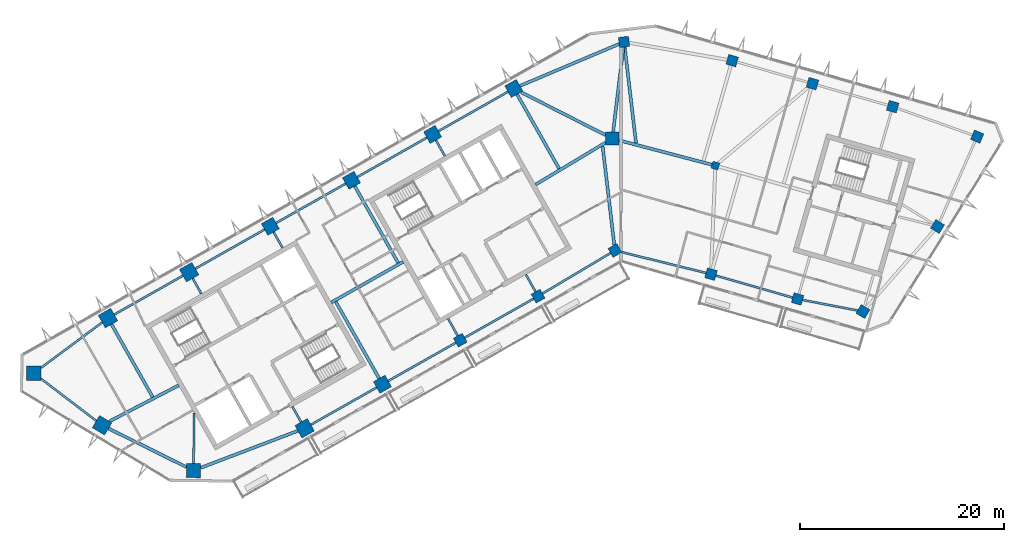
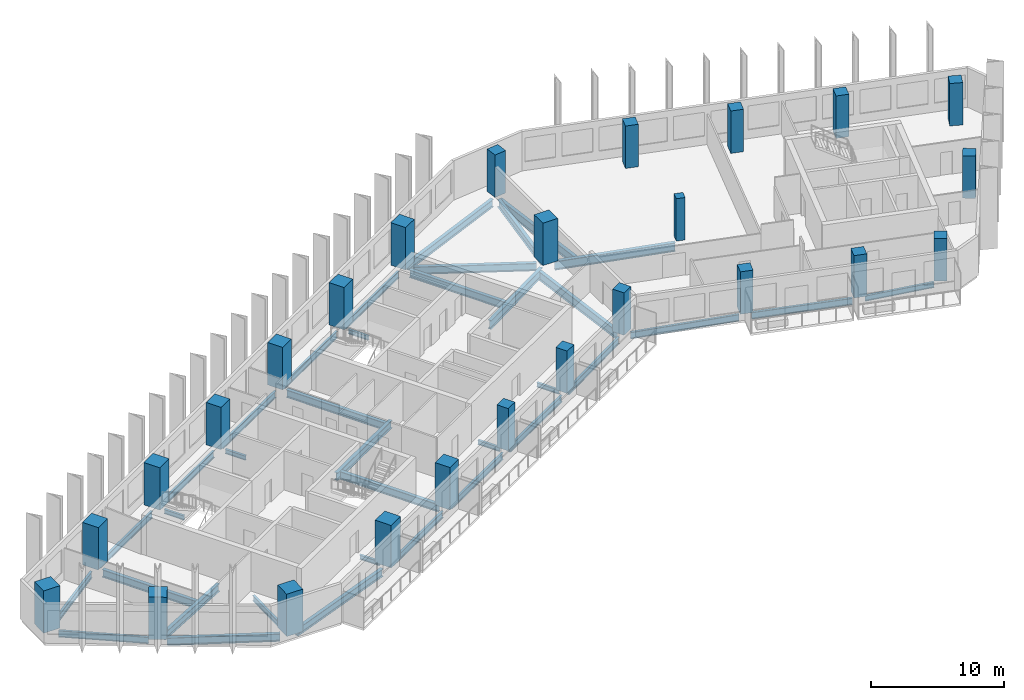
# One storey, part 1 of 11: 36 beams, 25 columns.
"""IFC4 building model written with IfcOpenShell, lengths in metres."""

from ifc_helpers import new_model, si_unit, direction, frame, origin, origin_2d, place, context, subcontext, project, spatial, rectangle, i_section, extrude, material, material_profile, profile_set, type_object, element, save


model = new_model("IFC4")

# Units and contexts
model_context = context("Model", 3, precision=1e-05, world=origin(), true_north=direction((0.0, 1.0)))
body_context = subcontext(model_context, "Body", "Model", "MODEL_VIEW")
ifc_project = project(units=[si_unit("LENGTHUNIT", "METRE"), si_unit("AREAUNIT", "SQUARE_METRE"), si_unit("VOLUMEUNIT", "CUBIC_METRE"), si_unit("PLANEANGLEUNIT", "RADIAN"), si_unit("MASSUNIT", "GRAM", prefix="KILO")], contexts=[model_context])

# Site, building, storey
site_placement = place(None, origin())
site = spatial("IfcSite", under=ifc_project, at=site_placement, CompositionType="ELEMENT")
building_placement = place(site_placement, origin())
building = spatial("IfcBuilding", under=site, at=building_placement, Name="Binnacle Exchange Tower", CompositionType="ELEMENT")
storey_placement = place(building_placement, frame((0.0, 0.0, 223.10009765625)))
storey = spatial("IfcBuildingStorey", under=building, at=storey_placement, Name="L49", CompositionType="ELEMENT", Elevation=223.10009765625)

# Columns
ifc_material_1 = material(Name="Concrete C60/75", Category="concrete")
ifc_material_profile_1 = material_profile(ifc_material_1, rectangle(XDim=0.699951171875, YDim=0.699951171875, at=origin_2d()), Name="Column 700x700 C60/75")
ifc_profile_set_1 = profile_set([ifc_material_profile_1], Name="Concrete C60/75")
column_type_1 = type_object("IfcColumnType", Name="Column 700x700 C60/75", PredefinedType="COLUMN", material=ifc_profile_set_1)
column_placement = place(storey_placement, frame((9.240966796875, 57.35009765625, 0.0), z_axis=(0.0, 0.0, 1.0), x_axis=(0.961261695938, -0.275637355817, 0.0)))
element("IfcColumn", 1, at=column_placement, inside=storey, type_object=column_type_1, Name="S:COL:C19:L49", PredefinedType="COLUMN", context=body_context, shape_type="SweptSolid", body=[
    extrude(rectangle(XDim=0.699951171875, YDim=0.699951171875, at=origin_2d()), origin(), (0.0, 0.0, 1.0), 3.89990234375),
])
ifc_material_profile_2 = material_profile(ifc_material_1, rectangle(XDim=1.0, YDim=1.0, at=origin_2d()), Name="Mega column 1000x1000 C60/75")
ifc_profile_set_2 = profile_set([ifc_material_profile_2], Name="Concrete C60/75")
column_type_2 = type_object("IfcColumnType", Name="Mega column 1000x1000 C60/75", PredefinedType="COLUMN", material=ifc_profile_set_2)
for number, where, z_axis, x_axis, name in (
    (2, (26.602783203125, 63.12353515625, 0.0), (0.0, 0.0, 1.0), (-0.961261695938, 0.275637355817, 0.0), "S:COL:MC52:L49"),
    (3, (18.746337890625, 65.376220703125, 0.0), (0.0, 0.0, 1.0), (-0.961261695938, 0.275637355817, 0.0), "S:COL:MC50:L49"),
    (4, (10.889892578125, 67.62890625, 0.0), (0.0, 0.0, 1.0), (-0.961261695938, 0.275637355817, 0.0), "S:COL:MC48:L49"),
    (5, (0.300048828125, 69.464111328125, 0.0), (0.0, 0.0, 1.0), (-0.993068456955, -0.117537397458, 0.0), "S:COL:MC47:L49"),
    (6, (-15.736328125, 40.257080078125, 0.0), (0.0, 0.0, 1.0), (0.87035569594, 0.492423560103, 0.0), "S:COL:MC24:L49"),
    (7, (-8.116943359375, 44.568115234375, 0.0), (0.0, 0.0, 1.0), (0.87035569594, 0.492423560103, 0.0), "S:COL:MC35:L49"),
    (8, (-0.5908203125, 49.04443359375, 0.0), (0.0, 0.0, 1.0), (0.87035569594, 0.492423560103, 0.0), "S:COL:MC46:L49"),
    (9, (8.8095703125, 46.722412109375, 0.0), (0.0, 0.0, 1.0), (0.961261695938, -0.275637355817, 0.0), "S:COL:MC49:L49"),
    (10, (17.2880859375, 44.291015625, 0.0), (0.0, 0.0, 1.0), (0.961261695938, -0.275637355817, 0.0), "S:COL:MC51:L49"),
    (11, (23.690185546875, 43.062744140625, 0.0), (0.0, 0.0, 1.0), (-0.86532642813, 0.501208711795, 0.0), "S:COL:MC53:L49"),
    (12, (30.989501953125, 51.38623046875, 0.0), (0.0, 0.0, 1.0), (0.529919264233, 0.848048096156, 0.0), "S:COL:MC55:L49"),
    (13, (34.870361328125, 60.18701171875, 0.0), (0.0, 0.0, 1.0), (-0.922814001807, 0.385245789164, 0.0), "S:COL:MC54:L49"),
):
    element("IfcColumn", number, at=place(storey_placement, frame(where, z_axis=z_axis, x_axis=x_axis)), inside=storey, type_object=column_type_2, Name=name, PredefinedType="COLUMN", context=body_context, shape_type="SweptSolid", body=[
        extrude(rectangle(XDim=1.0, YDim=1.0, at=origin_2d()), origin(), (0.0, 0.0, 1.0), 3.89990234375),
    ])
ifc_material_profile_3 = material_profile(ifc_material_1, rectangle(XDim=1.300048828125, YDim=1.300048828125, at=origin_2d()), Name="Mega column 1300x1300 C60/75")
ifc_profile_set_3 = profile_set([ifc_material_profile_3], Name="Concrete C60/75")
column_type_3 = type_object("IfcColumnType", Name="Mega column 1300x1300 C60/75", PredefinedType="COLUMN", material=ifc_profile_set_3)
for number, where, z_axis, x_axis, name in (
    (14, (-10.4951171875, 64.901611328125, 0.0), (0.0, 0.0, 1.0), (-0.87035569594, -0.492423560103, 0.0), "S:COL:MC38:L49"),
    (15, (-18.44140625, 60.406005859375, 0.0), (0.0, 0.0, 1.0), (-0.87035569594, -0.492423560103, 0.0), "S:COL:MC29:L49"),
    (16, (-26.3876953125, 55.91015625, 0.0), (0.0, 0.0, 1.0), (-0.87035569594, -0.492423560103, 0.0), "S:COL:MC21:L49"),
    (17, (-34.333740234375, 51.414306640625, 0.0), (0.0, 0.0, 1.0), (-0.87035569594, -0.492423560103, 0.0), "S:COL:MC13:L49"),
    (18, (-23.35595703125, 35.9462890625, 0.0), (0.0, 0.0, 1.0), (0.87035569594, 0.492423560103, 0.0), "S:COL:MC16:L49"),
    (19, (-0.85009765625, 60.0, 0.0), (0.0, 0.0, 1.0), (0.0, 1.0, 0.0), "S:COL:MC45:L49"),
):
    element("IfcColumn", number, at=place(storey_placement, frame(where, z_axis=z_axis, x_axis=x_axis)), inside=storey, type_object=column_type_3, Name=name, PredefinedType="COLUMN", context=body_context, shape_type="SweptSolid", body=[
        extrude(rectangle(XDim=1.300048828125, YDim=1.300048828125, at=origin_2d()), origin(), (0.0, 0.0, 1.0), 3.89990234375),
    ])
ifc_material_profile_4 = material_profile(ifc_material_1, rectangle(XDim=1.39990234375, YDim=1.39990234375, at=origin_2d()), Name="Mega column 1400x1400 C60/75")
ifc_profile_set_4 = profile_set([ifc_material_profile_4], Name="Concrete C60/75")
column_type_4 = type_object("IfcColumnType", Name="Mega column 1400x1400 C60/75", PredefinedType="COLUMN", material=ifc_profile_set_4)
for number, where, z_axis, x_axis, name in (
    (20, (-42.280029296875, 46.918701171875, 0.0), (0.0, 0.0, 1.0), (-0.87035569594, -0.492423560103, 0.0), "S:COL:MC08:L49"),
    (21, (-50.226318359375, 42.4228515625, 0.0), (0.0, 0.0, 1.0), (-0.87035569594, -0.492423560103, 0.0), "S:COL:MC04:L49"),
    (22, (-57.492919921875, 37.02734375, 0.0), (0.0, 0.0, 1.0), (-0.013089595571, -0.999914327574, 0.0), "S:COL:MC02:L49"),
    (23, (-50.81201171875, 31.930908203125, 0.0), (0.0, 0.0, 1.0), (0.857167300702, -0.51503807491, 0.0), "S:COL:MC01:L49"),
    (24, (-41.857666015625, 27.494873046875, 0.0), (0.0, 0.0, 1.0), (0.999914327574, -0.013089595571, 0.0), "S:COL:MC03:L49"),
    (25, (-30.9755859375, 31.63525390625, 0.0), (0.0, 0.0, 1.0), (0.87035569594, 0.492423560103, 0.0), "S:COL:MC07:L49"),
):
    element("IfcColumn", number, at=place(storey_placement, frame(where, z_axis=z_axis, x_axis=x_axis)), inside=storey, type_object=column_type_4, Name=name, PredefinedType="COLUMN", context=body_context, shape_type="SweptSolid", body=[
        extrude(rectangle(XDim=1.39990234375, YDim=1.39990234375, at=origin_2d()), origin(), (0.0, 0.0, 1.0), 3.89990234375),
    ])

# Beams
ifc_material_2 = material(Name="Steel S355 (SHN355)", Category="steel")
ifc_material_profile_5 = material_profile(ifc_material_2, i_section(OverallWidth=0.199951171875, OverallDepth=0.5, WebThickness=0.010009765625, FlangeThickness=0.01611328125, FilletRadius=0.02001953125, at=origin_2d()), Name="H 500x200x10x16")
ifc_profile_set_5 = profile_set([ifc_material_profile_5], Name="Steel S355 (SHN355)")
beam_type_1 = type_object("IfcBeamType", Name="Edge girder H 500x200x10x16 Steel S355 (SHN355)", PredefinedType="SPANDREL", material=ifc_profile_set_5)
beam_1_placement = place(storey_placement, frame((17.78125, 44.196533203125, -0.530029296875), z_axis=(0.98208728148, -0.188426568073, 0.0), x_axis=(0.188426568073, 0.98208728148, 0.0)))
element("IfcBeam", 26, at=beam_1_placement, inside=storey, type_object=beam_type_1, Name="S:BM:edge:L49:028", PredefinedType="SPANDREL", context=body_context, shape_type="SweptSolid", body=[
    extrude(i_section(OverallWidth=0.199951171875, OverallDepth=0.5, WebThickness=0.010009765625, FlangeThickness=0.01611328125, FilletRadius=0.02001953125, at=origin_2d()), origin(), (0.0, 0.0, 1.0), 5.4873046875),
])
ifc_material_profile_6 = material_profile(ifc_material_2, i_section(OverallWidth=0.199951171875, OverallDepth=0.60009765625, WebThickness=0.010986328125, FlangeThickness=0.01708984375, FilletRadius=0.02197265625, at=origin_2d()), Name="H 600x200x11x17")
ifc_profile_set_6 = profile_set([ifc_material_profile_6], Name="Steel S355 (SHN355)")
beam_type_2 = type_object("IfcBeamType", Name="Edge girder H 600x200x11x17 Steel S355 (SHN355)", PredefinedType="SPANDREL", material=ifc_profile_set_6)
beam_2_placement = place(storey_placement, frame((-56.7998046875, 36.49853515625, -0.580078125), z_axis=(0.795081038606, -0.606503208606, 0.0), x_axis=(0.606503208606, 0.795081038606, 0.0)))
element("IfcBeam", 27, at=beam_2_placement, inside=storey, type_object=beam_type_2, Name="S:BM:edge:L49:011", PredefinedType="SPANDREL", context=body_context, shape_type="SweptSolid", body=[
    extrude(i_section(OverallWidth=0.199951171875, OverallDepth=0.60009765625, WebThickness=0.010986328125, FlangeThickness=0.01708984375, FilletRadius=0.02197265625, at=origin_2d()), origin(), (0.0, 0.0, 1.0), 6.82666015625),
])
ifc_material_profile_7 = material_profile(ifc_material_2, i_section(OverallWidth=0.200927734375, OverallDepth=0.60595703125, WebThickness=0.011962890625, FlangeThickness=0.02001953125, FilletRadius=0.02197265625, at=origin_2d()), Name="H 606x201x12x20")
ifc_profile_set_7 = profile_set([ifc_material_profile_7], Name="Steel S355 (SHN355)")
beam_type_3 = type_object("IfcBeamType", Name="Edge girder H 606x201x12x20 Steel S355 (SHN355)", PredefinedType="SPANDREL", material=ifc_profile_set_7)
beam_3_placement = place(storey_placement, frame((-50.79248046875, 42.00244140625, -0.5830078125), z_axis=(-0.802886959261, -0.596131303194, 0.0), x_axis=(0.596131303194, -0.802886959261, 0.0)))
element("IfcBeam", 28, at=beam_3_placement, inside=storey, type_object=beam_type_3, Name="S:BM:edge:L49:012", PredefinedType="SPANDREL", context=body_context, shape_type="SweptSolid", body=[
    extrude(i_section(OverallWidth=0.200927734375, OverallDepth=0.60595703125, WebThickness=0.011962890625, FlangeThickness=0.02001953125, FilletRadius=0.02197265625, at=origin_2d()), origin(), (0.0, 0.0, 1.0), 7.465087890625),
])
beam_4_placement = place(storey_placement, frame((-30.3662109375, 31.97998046875, -0.5830078125), z_axis=(0.87035151347, 0.49243095252, 0.0), x_axis=(-0.49243095252, 0.87035151347, 0.0)))
element("IfcBeam", 29, at=beam_4_placement, inside=storey, type_object=beam_type_3, Name="S:BM:edge:L49:017", PredefinedType="SPANDREL", context=body_context, shape_type="SweptSolid", body=[
    extrude(i_section(OverallWidth=0.200927734375, OverallDepth=0.60595703125, WebThickness=0.011962890625, FlangeThickness=0.02001953125, FilletRadius=0.02197265625, at=origin_2d()), origin(), (0.0, 0.0, 1.0), 7.404541015625),
])
beam_5_placement = place(storey_placement, frame((-22.790283203125, 36.266357421875, -0.5830078125), z_axis=(0.870357072119, 0.492421127708, 0.0), x_axis=(-0.492421127708, 0.870357072119, 0.0)))
element("IfcBeam", 30, at=beam_5_placement, inside=storey, type_object=beam_type_3, Name="S:BM:edge:L49:019", PredefinedType="SPANDREL", context=body_context, shape_type="SweptSolid", body=[
    extrude(i_section(OverallWidth=0.200927734375, OverallDepth=0.60595703125, WebThickness=0.011962890625, FlangeThickness=0.02001953125, FilletRadius=0.02197265625, at=origin_2d()), origin(), (0.0, 0.0, 1.0), 7.6044921875),
])
beam_6_placement = place(storey_placement, frame((-15.30126953125, 40.50341796875, -0.5830078125), z_axis=(0.870352841483, 0.492428605304, 0.0), x_axis=(-0.492428605304, 0.870352841483, 0.0)))
element("IfcBeam", 31, at=beam_6_placement, inside=storey, type_object=beam_type_3, Name="S:BM:edge:L49:021", PredefinedType="SPANDREL", context=body_context, shape_type="SweptSolid", body=[
    extrude(i_section(OverallWidth=0.200927734375, OverallDepth=0.60595703125, WebThickness=0.011962890625, FlangeThickness=0.02001953125, FilletRadius=0.02197265625, at=origin_2d()), origin(), (0.0, 0.0, 1.0), 7.754638671875),
])
beam_7_placement = place(storey_placement, frame((-7.68701171875, 44.82373046875, -0.5830078125), z_axis=(0.859458521045, 0.51120548765, 0.0), x_axis=(-0.51120548765, 0.859458521045, 0.0)))
element("IfcBeam", 32, at=beam_7_placement, inside=storey, type_object=beam_type_3, Name="S:BM:edge:L49:023", PredefinedType="SPANDREL", context=body_context, shape_type="SweptSolid", body=[
    extrude(i_section(OverallWidth=0.200927734375, OverallDepth=0.60595703125, WebThickness=0.011962890625, FlangeThickness=0.02001953125, FilletRadius=0.02197265625, at=origin_2d()), origin(), (0.0, 0.0, 1.0), 7.75634765625),
])
beam_8_placement = place(storey_placement, frame((9.2900390625, 46.58447265625, -0.5830078125), z_axis=(0.961265533153, -0.275623973506, 0.0), x_axis=(0.275623973506, 0.961265533153, 0.0)))
element("IfcBeam", 33, at=beam_8_placement, inside=storey, type_object=beam_type_3, Name="S:BM:edge:L49:026", PredefinedType="SPANDREL", context=body_context, shape_type="SweptSolid", body=[
    extrude(i_section(OverallWidth=0.200927734375, OverallDepth=0.60595703125, WebThickness=0.011962890625, FlangeThickness=0.02001953125, FilletRadius=0.02197265625, at=origin_2d()), origin(), (0.0, 0.0, 1.0), 7.820556640625),
])
ifc_material_profile_8 = material_profile(ifc_material_2, i_section(OverallWidth=0.201904296875, OverallDepth=0.612060546875, WebThickness=0.012939453125, FlangeThickness=0.02294921875, FilletRadius=0.02197265625, at=origin_2d()), Name="H 612x202x13x23")
ifc_profile_set_8 = profile_set([ifc_material_profile_8], Name="Steel S355 (SHN355)")
beam_type_4 = type_object("IfcBeamType", Name="Edge girder H 612x202x13x23 Steel S355 (SHN355)", PredefinedType="SPANDREL", material=ifc_profile_set_8)
beam_9_placement = place(storey_placement, frame((-42.88916015625, 46.573974609375, -0.586181640625), z_axis=(-0.870355702011, -0.492423549372, 0.0), x_axis=(0.492423549372, -0.870355702011, 0.0)))
element("IfcBeam", 34, at=beam_9_placement, inside=storey, type_object=beam_type_4, Name="S:BM:edge:L49:014", PredefinedType="SPANDREL", context=body_context, shape_type="SweptSolid", body=[
    extrude(i_section(OverallWidth=0.201904296875, OverallDepth=0.612060546875, WebThickness=0.012939453125, FlangeThickness=0.02294921875, FilletRadius=0.02197265625, at=origin_2d()), origin(), (0.0, 0.0, 1.0), 7.72998046875),
])
beam_10_placement = place(storey_placement, frame((-34.8994140625, 51.09423828125, -0.586181640625), z_axis=(-0.870365218126, -0.492406729317, 0.0), x_axis=(0.492406729317, -0.870365218126, 0.0)))
element("IfcBeam", 35, at=beam_10_placement, inside=storey, type_object=beam_type_4, Name="S:BM:edge:L49:016", PredefinedType="SPANDREL", context=body_context, shape_type="SweptSolid", body=[
    extrude(i_section(OverallWidth=0.201904296875, OverallDepth=0.612060546875, WebThickness=0.012939453125, FlangeThickness=0.02294921875, FilletRadius=0.02197265625, at=origin_2d()), origin(), (0.0, 0.0, 1.0), 7.77978515625),
])
beam_11_placement = place(storey_placement, frame((-26.953369140625, 55.590087890625, -0.586181640625), z_axis=(-0.870361249296, -0.492413744452, 0.0), x_axis=(0.492413744452, -0.870361249296, 0.0)))
element("IfcBeam", 36, at=beam_11_placement, inside=storey, type_object=beam_type_4, Name="S:BM:edge:L49:018", PredefinedType="SPANDREL", context=body_context, shape_type="SweptSolid", body=[
    extrude(i_section(OverallWidth=0.201904296875, OverallDepth=0.612060546875, WebThickness=0.012939453125, FlangeThickness=0.02294921875, FilletRadius=0.02197265625, at=origin_2d()), origin(), (0.0, 0.0, 1.0), 7.829833984375),
])
beam_12_placement = place(storey_placement, frame((-19.007080078125, 60.0859375, -0.586181640625), z_axis=(-0.870355446453, -0.492424001069, 0.0), x_axis=(0.492424001069, -0.870355446453, 0.0)))
element("IfcBeam", 37, at=beam_12_placement, inside=storey, type_object=beam_type_4, Name="S:BM:edge:L49:020", PredefinedType="SPANDREL", context=body_context, shape_type="SweptSolid", body=[
    extrude(i_section(OverallWidth=0.201904296875, OverallDepth=0.612060546875, WebThickness=0.012939453125, FlangeThickness=0.02294921875, FilletRadius=0.02197265625, at=origin_2d()), origin(), (0.0, 0.0, 1.0), 7.830078125),
])
beam_13_placement = place(storey_placement, frame((-11.060791015625, 64.58154296875, -0.586181640625), z_axis=(-0.870361249296, -0.492413744452, 0.0), x_axis=(0.492413744452, -0.870361249296, 0.0)))
element("IfcBeam", 38, at=beam_13_placement, inside=storey, type_object=beam_type_4, Name="S:BM:edge:L49:022", PredefinedType="SPANDREL", context=body_context, shape_type="SweptSolid", body=[
    extrude(i_section(OverallWidth=0.201904296875, OverallDepth=0.612060546875, WebThickness=0.012939453125, FlangeThickness=0.02294921875, FilletRadius=0.02197265625, at=origin_2d()), origin(), (0.0, 0.0, 1.0), 7.829833984375),
])
beam_14_placement = place(storey_placement, frame((0.076904296875, 48.87939453125, -0.586181640625), z_axis=(0.970819987475, -0.239809407487, 0.0), x_axis=(0.239809407487, 0.970819987475, 0.0)))
element("IfcBeam", 39, at=beam_14_placement, inside=storey, type_object=beam_type_4, Name="S:BM:edge:L49:025", PredefinedType="SPANDREL", context=body_context, shape_type="SweptSolid", body=[
    extrude(i_section(OverallWidth=0.201904296875, OverallDepth=0.612060546875, WebThickness=0.012939453125, FlangeThickness=0.02294921875, FilletRadius=0.02197265625, at=origin_2d()), origin(), (0.0, 0.0, 1.0), 8.49462890625),
])
ifc_material_profile_9 = material_profile(ifc_material_2, i_section(OverallWidth=0.300048828125, OverallDepth=0.699951171875, WebThickness=0.012939453125, FlangeThickness=0.02392578125, FilletRadius=0.028076171875, at=origin_2d()), Name="H 700x300x13x24")
ifc_profile_set_9 = profile_set([ifc_material_profile_9], Name="Steel S355 (SHN355)")
beam_type_5 = type_object("IfcBeamType", Name="Edge girder H 700x300x13x24 Steel S355 (SHN355)", PredefinedType="SPANDREL", material=ifc_profile_set_9)
beam_15_placement = place(storey_placement, frame((-50.1826171875, 31.619140625, -0.630126953125), z_axis=(0.896061326398, -0.443930286569, 0.0), x_axis=(0.443930286569, 0.896061326398, 0.0)))
element("IfcBeam", 40, at=beam_15_placement, inside=storey, type_object=beam_type_5, Name="S:BM:edge:L49:013", PredefinedType="SPANDREL", context=body_context, shape_type="SweptSolid", body=[
    extrude(i_section(OverallWidth=0.300048828125, OverallDepth=0.699951171875, WebThickness=0.012939453125, FlangeThickness=0.02392578125, FilletRadius=0.028076171875, at=origin_2d()), origin(), (0.0, 0.0, 1.0), 8.514404296875),
])
beam_16_placement = place(storey_placement, frame((-41.154052734375, 27.762451171875, -0.630126953125), z_axis=(0.934627442278, 0.355628379268, 0.0), x_axis=(-0.355628379268, 0.934627442278, 0.0)))
element("IfcBeam", 41, at=beam_16_placement, inside=storey, type_object=beam_type_5, Name="S:BM:edge:L49:015", PredefinedType="SPANDREL", context=body_context, shape_type="SweptSolid", body=[
    extrude(i_section(OverallWidth=0.300048828125, OverallDepth=0.699951171875, WebThickness=0.012939453125, FlangeThickness=0.02392578125, FilletRadius=0.028076171875, at=origin_2d()), origin(), (0.0, 0.0, 1.0), 10.18212890625),
])
beam_17_placement = place(storey_placement, frame((-0.179443359375, 69.261474609375, -0.630126953125), z_axis=(-0.921114178723, -0.389292524659, 0.0), x_axis=(0.389292524659, -0.921114178723, 0.0)))
element("IfcBeam", 42, at=beam_17_placement, inside=storey, type_object=beam_type_5, Name="S:BM:edge:L49:024", PredefinedType="SPANDREL", context=body_context, shape_type="SweptSolid", body=[
    extrude(i_section(OverallWidth=0.300048828125, OverallDepth=0.699951171875, WebThickness=0.012939453125, FlangeThickness=0.02392578125, FilletRadius=0.028076171875, at=origin_2d()), origin(), (0.0, 0.0, 1.0), 10.544677734375),
])
ifc_material_profile_10 = material_profile(ifc_material_2, i_section(OverallWidth=0.199951171875, OverallDepth=0.39990234375, WebThickness=0.008056640625, FlangeThickness=0.012939453125, FilletRadius=0.01611328125, at=origin_2d()), Name="H 400x200x8x13")
ifc_profile_set_10 = profile_set([ifc_material_profile_10], Name="Steel S355 (SHN355)")
beam_type_6 = type_object("IfcBeamType", Name="Floor beam H 400x200x8x13 Steel S355 (SHN355)", PredefinedType="BEAM", material=ifc_profile_set_10)
beam_18_placement = place(storey_placement, frame((-41.935302734375, 46.3095703125, -0.47998046875), z_axis=(0.492405102951, -0.870366138236, 0.0), x_axis=(0.870366138236, 0.492405102951, 0.0)))
element("IfcBeam", 43, at=beam_18_placement, inside=storey, type_object=beam_type_6, Name="S:BM:cross:L49:035", PredefinedType="BEAM", context=body_context, shape_type="SweptSolid", body=[
    extrude(i_section(OverallWidth=0.199951171875, OverallDepth=0.39990234375, WebThickness=0.008056640625, FlangeThickness=0.012939453125, FilletRadius=0.01611328125, at=origin_2d()), origin(), (0.0, 0.0, 1.0), 1.734375),
])
beam_19_placement = place(storey_placement, frame((-34.013671875, 50.8486328125, -0.47998046875), z_axis=(0.492435931281, -0.870348696548, 0.0), x_axis=(0.870348696548, 0.492435931281, 0.0)))
element("IfcBeam", 44, at=beam_19_placement, inside=storey, type_object=beam_type_6, Name="S:BM:cross:L49:037", PredefinedType="BEAM", context=body_context, shape_type="SweptSolid", body=[
    extrude(i_section(OverallWidth=0.199951171875, OverallDepth=0.39990234375, WebThickness=0.008056640625, FlangeThickness=0.012939453125, FilletRadius=0.01611328125, at=origin_2d()), origin(), (0.0, 0.0, 1.0), 1.784423828125),
])
beam_20_placement = place(storey_placement, frame((-31.3203125, 32.244384765625, -0.47998046875), z_axis=(-0.492405102951, 0.870366138236, 0.0), x_axis=(-0.870366138236, -0.492405102951, 0.0)))
element("IfcBeam", 45, at=beam_20_placement, inside=storey, type_object=beam_type_6, Name="S:BM:cross:L49:038", PredefinedType="BEAM", context=body_context, shape_type="SweptSolid", body=[
    extrude(i_section(OverallWidth=0.199951171875, OverallDepth=0.39990234375, WebThickness=0.008056640625, FlangeThickness=0.012939453125, FilletRadius=0.01611328125, at=origin_2d()), origin(), (0.0, 0.0, 1.0), 1.734375),
])
beam_21_placement = place(storey_placement, frame((-18.12109375, 59.84033203125, -0.47998046875), z_axis=(0.49233227435, -0.870407336615, 0.0), x_axis=(0.870407336615, 0.49233227435, 0.0)))
element("IfcBeam", 46, at=beam_21_placement, inside=storey, type_object=beam_type_6, Name="S:BM:cross:L49:041", PredefinedType="BEAM", context=body_context, shape_type="SweptSolid", body=[
    extrude(i_section(OverallWidth=0.199951171875, OverallDepth=0.39990234375, WebThickness=0.008056640625, FlangeThickness=0.012939453125, FilletRadius=0.01611328125, at=origin_2d()), origin(), (0.0, 0.0, 1.0), 1.7841796875),
])
for number, where, z_axis, x_axis, name in (
    (47, (-15.982666015625, 40.6923828125, -0.47998046875), (-0.492369148916, 0.870386478063, 0.0), (-0.870386478063, -0.492369148916, 0.0), "S:BM:cross:L49:042"),
    (48, (-8.363037109375, 45.00341796875, -0.47998046875), (-0.492518856771, 0.870301772792, 0.0), (-0.870301772792, -0.492518856771, 0.0), "S:BM:cross:L49:044"),
):
    element("IfcBeam", number, at=place(storey_placement, frame(where, z_axis=z_axis, x_axis=x_axis)), inside=storey, type_object=beam_type_6, Name=name, PredefinedType="BEAM", context=body_context, shape_type="SweptSolid", body=[
        extrude(i_section(OverallWidth=0.199951171875, OverallDepth=0.39990234375, WebThickness=0.008056640625, FlangeThickness=0.012939453125, FilletRadius=0.01611328125, at=origin_2d()), origin(), (0.0, 0.0, 1.0), 1.934326171875),
    ])
ifc_material_profile_11 = material_profile(ifc_material_2, i_section(OverallWidth=0.200927734375, OverallDepth=0.506103515625, WebThickness=0.010986328125, FlangeThickness=0.01904296875, FilletRadius=0.02001953125, at=origin_2d()), Name="H 506x201x11x19")
ifc_profile_set_11 = profile_set([ifc_material_profile_11], Name="Steel S355 (SHN355)")
beam_type_7 = type_object("IfcBeamType", Name="Floor beam H 506x201x11x19 Steel S355 (SHN355)", PredefinedType="BEAM", material=ifc_profile_set_11)
beam_22_placement = place(storey_placement, frame((-41.848388671875, 28.194580078125, -0.533203125), z_axis=(0.013067878487, 0.99991461163, 0.0), x_axis=(-0.99991461163, 0.013067878487, 0.0)))
element("IfcBeam", 49, at=beam_22_placement, inside=storey, type_object=beam_type_7, Name="S:BM:cross:L49:036", PredefinedType="BEAM", context=body_context, shape_type="SweptSolid", body=[
    extrude(i_section(OverallWidth=0.200927734375, OverallDepth=0.506103515625, WebThickness=0.010986328125, FlangeThickness=0.01904296875, FilletRadius=0.02001953125, at=origin_2d()), origin(), (0.0, 0.0, 1.0), 4.950927734375),
])
ifc_material_profile_12 = material_profile(ifc_material_2, i_section(OverallWidth=0.300048828125, OverallDepth=0.699951171875, WebThickness=0.012939453125, FlangeThickness=0.02392578125, FilletRadius=0.028076171875, at=origin_2d()), Name="H 700x300x13x24")
ifc_profile_set_12 = profile_set([ifc_material_profile_12], Name="Steel S355 (SHN355)")
beam_type_8 = type_object("IfcBeamType", Name="Floor beam H 700x300x13x24 Steel S355 (SHN355)", PredefinedType="BEAM", material=ifc_profile_set_12)
beam_23_placement = place(storey_placement, frame((-49.881591796875, 41.813720703125, -0.630126953125), z_axis=(0.492430408551, -0.870351821239, 0.0), x_axis=(0.870351821239, 0.492430408551, 0.0)))
element("IfcBeam", 50, at=beam_23_placement, inside=storey, type_object=beam_type_8, Name="S:BM:cross:L49:034", PredefinedType="BEAM", context=body_context, shape_type="SweptSolid", body=[
    extrude(i_section(OverallWidth=0.300048828125, OverallDepth=0.699951171875, WebThickness=0.012939453125, FlangeThickness=0.02392578125, FilletRadius=0.028076171875, at=origin_2d()), origin(), (0.0, 0.0, 1.0), 8.19140625),
])
beam_24_placement = place(storey_placement, frame((-10.175048828125, 64.3359375, -0.630126953125), z_axis=(0.492424391334, -0.870355225652, 0.0), x_axis=(0.870355225652, 0.492424391334, 0.0)))
element("IfcBeam", 51, at=beam_24_placement, inside=storey, type_object=beam_type_8, Name="S:BM:cross:L49:043", PredefinedType="BEAM", context=body_context, shape_type="SweptSolid", body=[
    extrude(i_section(OverallWidth=0.300048828125, OverallDepth=0.699951171875, WebThickness=0.012939453125, FlangeThickness=0.02392578125, FilletRadius=0.028076171875, at=origin_2d()), origin(), (0.0, 0.0, 1.0), 8.369384765625),
])
ifc_material_profile_13 = material_profile(ifc_material_2, i_section(OverallWidth=0.302001953125, OverallDepth=0.7080078125, WebThickness=0.014892578125, FlangeThickness=0.028076171875, FilletRadius=0.028076171875, at=origin_2d()), Name="H 708x302x15x28")
ifc_profile_set_13 = profile_set([ifc_material_profile_13], Name="Steel S355 (SHN355)")
beam_type_9 = type_object("IfcBeamType", Name="Floor beam H 708x302x15x28 Steel S355 (SHN355)", PredefinedType="BEAM", material=ifc_profile_set_13)
beam_25_placement = place(storey_placement, frame((-26.0673828125, 55.344482421875, -0.634033203125), z_axis=(0.492401028839, -0.870368443131, 0.0), x_axis=(0.870368443131, 0.492401028839, 0.0)))
element("IfcBeam", 52, at=beam_25_placement, inside=storey, type_object=beam_type_9, Name="S:BM:cross:L49:039", PredefinedType="BEAM", context=body_context, shape_type="SweptSolid", body=[
    extrude(i_section(OverallWidth=0.302001953125, OverallDepth=0.7080078125, WebThickness=0.014892578125, FlangeThickness=0.028076171875, FilletRadius=0.028076171875, at=origin_2d()), origin(), (0.0, 0.0, 1.0), 8.634033203125),
])
beam_26_placement = place(storey_placement, frame((-23.676025390625, 36.511962890625, -0.634033203125), z_axis=(-0.492422448747, 0.870356324714, 0.0), x_axis=(-0.870356324714, -0.492422448747, 0.0)))
element("IfcBeam", 53, at=beam_26_placement, inside=storey, type_object=beam_type_9, Name="S:BM:cross:L49:040", PredefinedType="BEAM", context=body_context, shape_type="SweptSolid", body=[
    extrude(i_section(OverallWidth=0.302001953125, OverallDepth=0.7080078125, WebThickness=0.014892578125, FlangeThickness=0.028076171875, FilletRadius=0.028076171875, at=origin_2d()), origin(), (0.0, 0.0, 1.0), 8.63427734375),
])
ifc_material_profile_14 = material_profile(ifc_material_2, i_section(OverallWidth=0.300048828125, OverallDepth=0.800048828125, WebThickness=0.013916015625, FlangeThickness=0.02587890625, FilletRadius=0.028076171875, at=origin_2d()), Name="H 800x300x14x26")
ifc_profile_set_14 = profile_set([ifc_material_profile_14], Name="Steel S355 (SHN355)")
beam_type_10 = type_object("IfcBeamType", Name="Floor beam H 800x300x14x26 Steel S355 (SHN355)", PredefinedType="BEAM", material=ifc_profile_set_14)
beam_27_placement = place(storey_placement, frame((-0.654541015625, 49.5830078125, -0.68017578125), z_axis=(-0.117538284625, 0.993068351951, 0.0), x_axis=(-0.993068351951, -0.117538284625, 0.0)))
element("IfcBeam", 54, at=beam_27_placement, inside=storey, type_object=beam_type_10, Name="S:BM:cross:L49:045", PredefinedType="BEAM", context=body_context, shape_type="SweptSolid", body=[
    extrude(i_section(OverallWidth=0.300048828125, OverallDepth=0.800048828125, WebThickness=0.013916015625, FlangeThickness=0.02587890625, FilletRadius=0.028076171875, at=origin_2d()), origin(), (0.0, 0.0, 1.0), 9.754150390625),
])
beam_28_placement = place(storey_placement, frame((0.35888671875, 68.9677734375, -0.68017578125), z_axis=(0.117547988923, -0.993067203315, 0.0), x_axis=(0.993067203315, 0.117547988923, 0.0)))
element("IfcBeam", 55, at=beam_28_placement, inside=storey, type_object=beam_type_10, Name="S:BM:cross:L49:046", PredefinedType="BEAM", context=body_context, shape_type="SweptSolid", body=[
    extrude(i_section(OverallWidth=0.300048828125, OverallDepth=0.800048828125, WebThickness=0.013916015625, FlangeThickness=0.02587890625, FilletRadius=0.028076171875, at=origin_2d()), origin(), (0.0, 0.0, 1.0), 9.5),
])
ifc_material_profile_15 = material_profile(ifc_material_2, i_section(OverallWidth=0.300048828125, OverallDepth=0.699951171875, WebThickness=0.012939453125, FlangeThickness=0.02392578125, FilletRadius=0.028076171875, at=origin_2d()), Name="H 700x300x13x24")
ifc_profile_set_15 = profile_set([ifc_material_profile_15], Name="Steel S355 (SHN355)")
beam_type_11 = type_object("IfcBeamType", Name="Spine girder H 700x300x13x24 Steel S355 (SHN355)", PredefinedType="BEAM", material=ifc_profile_set_15)
beam_29_placement = place(storey_placement, frame((-50.083740234375, 32.31005859375, -0.630126953125), z_axis=(0.886975994229, 0.46181553207, 0.0), x_axis=(-0.46181553207, 0.886975994229, 0.0)))
element("IfcBeam", 56, at=beam_29_placement, inside=storey, type_object=beam_type_11, Name="S:BM:spine:L49:001", PredefinedType="BEAM", context=body_context, shape_type="SweptSolid", body=[
    extrude(i_section(OverallWidth=0.300048828125, OverallDepth=0.699951171875, WebThickness=0.012939453125, FlangeThickness=0.02392578125, FilletRadius=0.028076171875, at=origin_2d()), origin(), (0.0, 0.0, 1.0), 7.6396484375),
])
beam_30_placement = place(storey_placement, frame((-1.5, 60.330322265625, -0.630126953125), z_axis=(-0.891481538846, 0.453057022786, 0.0), x_axis=(-0.453057022786, -0.891481538846, 0.0)))
element("IfcBeam", 57, at=beam_30_placement, inside=storey, type_object=beam_type_11, Name="S:BM:spine:L49:004", PredefinedType="BEAM", context=body_context, shape_type="SweptSolid", body=[
    extrude(i_section(OverallWidth=0.300048828125, OverallDepth=0.699951171875, WebThickness=0.012939453125, FlangeThickness=0.02392578125, FilletRadius=0.028076171875, at=origin_2d()), origin(), (0.0, 0.0, 1.0), 9.31005859375),
])
beam_31_placement = place(storey_placement, frame((-0.77099609375, 60.64990234375, -0.630126953125), z_axis=(0.120632086068, 0.992697285083, 0.0), x_axis=(-0.992697285083, 0.120632086068, 0.0)))
element("IfcBeam", 58, at=beam_31_placement, inside=storey, type_object=beam_type_11, Name="S:BM:spine:L49:005", PredefinedType="BEAM", context=body_context, shape_type="SweptSolid", body=[
    extrude(i_section(OverallWidth=0.300048828125, OverallDepth=0.699951171875, WebThickness=0.012939453125, FlangeThickness=0.02392578125, FilletRadius=0.028076171875, at=origin_2d()), origin(), (0.0, 0.0, 1.0), 8.364501953125),
])
ifc_material_profile_16 = material_profile(ifc_material_2, i_section(OverallWidth=0.302001953125, OverallDepth=0.7080078125, WebThickness=0.014892578125, FlangeThickness=0.028076171875, FilletRadius=0.028076171875, at=origin_2d()), Name="H 708x302x15x28")
ifc_profile_set_16 = profile_set([ifc_material_profile_16], Name="Steel S355 (SHN355)")
beam_type_12 = type_object("IfcBeamType", Name="Spine girder H 708x302x15x28 Steel S355 (SHN355)", PredefinedType="BEAM", material=ifc_profile_set_16)
beam_32_placement = place(storey_placement, frame((-28.365478515625, 43.951416015625, -0.634033203125), z_axis=(0.870350319004, 0.492433063684, 0.0), x_axis=(-0.492433063684, 0.870350319004, 0.0)))
element("IfcBeam", 59, at=beam_32_placement, inside=storey, type_object=beam_type_12, Name="S:BM:spine:L49:002", PredefinedType="BEAM", context=body_context, shape_type="SweptSolid", body=[
    extrude(i_section(OverallWidth=0.302001953125, OverallDepth=0.7080078125, WebThickness=0.014892578125, FlangeThickness=0.028076171875, FilletRadius=0.028076171875, at=origin_2d()), origin(), (0.0, 0.0, 1.0), 8.0908203125),
])
ifc_material_profile_17 = material_profile(ifc_material_2, i_section(OverallWidth=0.300048828125, OverallDepth=0.800048828125, WebThickness=0.013916015625, FlangeThickness=0.02587890625, FilletRadius=0.028076171875, at=origin_2d()), Name="H 800x300x14x26")
ifc_profile_set_17 = profile_set([ifc_material_profile_17], Name="Steel S355 (SHN355)")
beam_type_13 = type_object("IfcBeamType", Name="Spine girder H 800x300x14x26 Steel S355 (SHN355)", PredefinedType="BEAM", material=ifc_profile_set_17)
beam_33_placement = place(storey_placement, frame((-8.36328125, 55.489990234375, -0.68017578125), z_axis=(0.857387955422, 0.514670665472, 0.0), x_axis=(-0.514670665472, 0.857387955422, 0.0)))
element("IfcBeam", 60, at=beam_33_placement, inside=storey, type_object=beam_type_13, Name="S:BM:spine:L49:003", PredefinedType="BEAM", context=body_context, shape_type="SweptSolid", body=[
    extrude(i_section(OverallWidth=0.300048828125, OverallDepth=0.800048828125, WebThickness=0.013916015625, FlangeThickness=0.02587890625, FilletRadius=0.028076171875, at=origin_2d()), origin(), (0.0, 0.0, 1.0), 8.0048828125),
])
beam_34_placement = place(storey_placement, frame((-0.199951171875, 59.829345703125, -0.68017578125), z_axis=(0.967210495765, -0.253976095098, 0.0), x_axis=(0.253976095098, 0.967210495765, 0.0)))
element("IfcBeam", 61, at=beam_34_placement, inside=storey, type_object=beam_type_13, Name="S:BM:spine:L49:006", PredefinedType="BEAM", context=body_context, shape_type="SweptSolid", body=[
    extrude(i_section(OverallWidth=0.300048828125, OverallDepth=0.800048828125, WebThickness=0.013916015625, FlangeThickness=0.02587890625, FilletRadius=0.028076171875, at=origin_2d()), origin(), (0.0, 0.0, 1.0), 9.410888671875),
])

save(model, "model.ifc")
